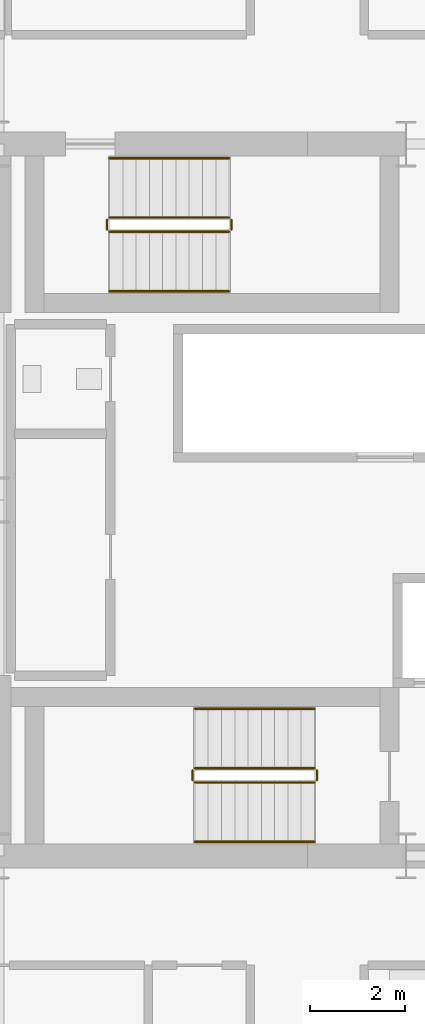
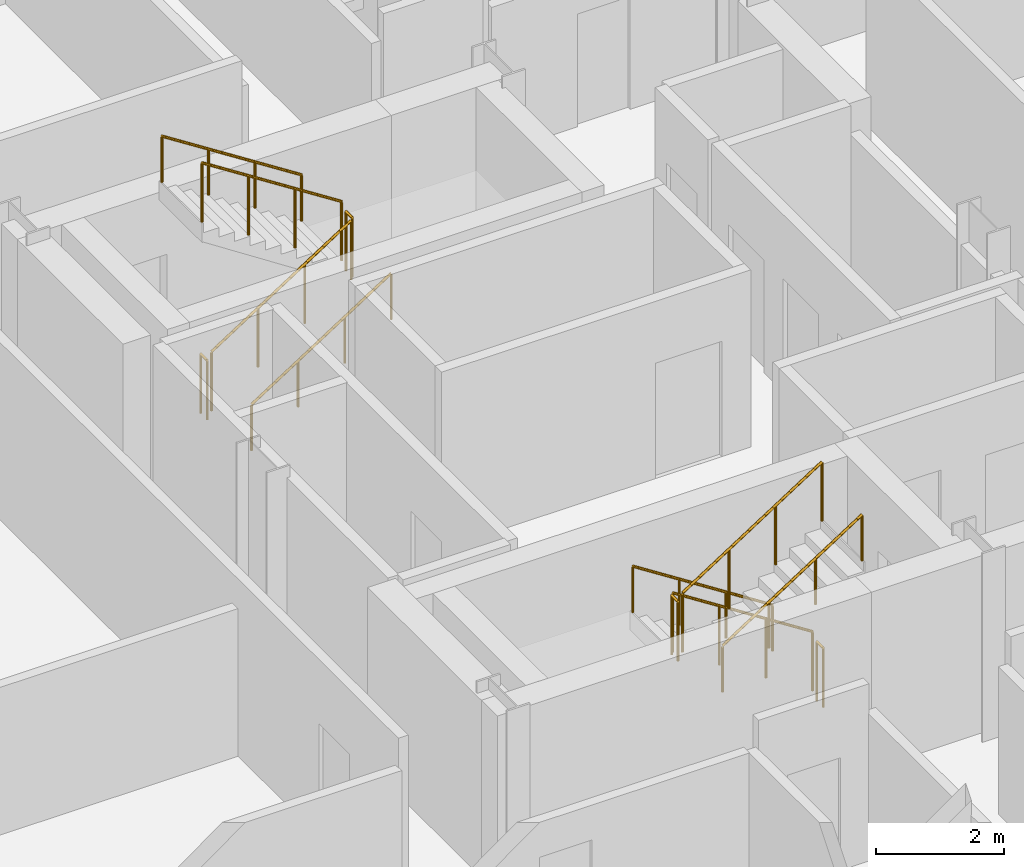
# One storey, part 24 of 25: 12 railings.
"""IFC4 building model written with IfcOpenShell, lengths in metres."""

from ifc_helpers import new_model, si_unit, direction, frame, origin, origin_2d, place, context, subcontext, project, spatial, circle, extrude, material, type_object, element, save


model = new_model("IFC4")

# Units and contexts
model_context = context("Model", 3, precision=1e-05, world=origin(), true_north=direction((0.0, 1.0)))
body_context = subcontext(model_context, "Body", "Model", "MODEL_VIEW")
ifc_project = project(units=[si_unit("LENGTHUNIT", "METRE"), si_unit("AREAUNIT", "SQUARE_METRE"), si_unit("VOLUMEUNIT", "CUBIC_METRE"), si_unit("PLANEANGLEUNIT", "RADIAN"), si_unit("MASSUNIT", "GRAM", prefix="KILO")], contexts=[model_context])

# Site, building, storey
site_placement = place(None, origin())
site = spatial("IfcSite", under=ifc_project, at=site_placement, CompositionType="ELEMENT")
building_placement = place(site_placement, origin())
building = spatial("IfcBuilding", under=site, at=building_placement, Name="Barlavira Tower and Art Museum", CompositionType="ELEMENT")
storey_placement = place(building_placement, frame((0.0, 0.0, 144.0)))
storey = spatial("IfcBuildingStorey", under=building, at=storey_placement, Name="L36", CompositionType="ELEMENT", Elevation=144.0)

# Railings
ifc_material = material(Name="Brushed stainless steel", Category="steel")
railing_type_1 = type_object("IfcRailingType", Name="Interior Void and Landing Guard Railing 1150", PredefinedType="GUARDRAIL", material=ifc_material)
railing_1_placement = place(storey_placement, frame((0.14990234375, -5.64990234375, 0.179931640625)))
element("IfcRailing", 1, at=railing_1_placement, inside=storey, type_object=railing_type_1, Name="L36 ST-T1 stair guard 1", PredefinedType="GUARDRAIL", context=body_context, shape_type="SweptSolid", body=[
    extrude(circle(Radius=0.02392578125, at=origin_2d()), frame((0.0, 0.0, 1.1259765625), z_axis=(-0.841162588446, 0.0, 0.540782303519), x_axis=(0.0, -1.0, 0.0)), (0.0, 0.0, 1.0), 2.995849609375),
    extrude(circle(Radius=0.02099609375, at=origin_2d()), origin(), (0.0, 0.0, 1.0), 1.101806640625),
    extrude(circle(Radius=0.02099609375, at=origin_2d()), frame((-0.840087890625, 0.0, 0.5400390625)), (0.0, 0.0, 1.0), 1.101806640625),
    extrude(circle(Radius=0.02099609375, at=origin_2d()), frame((-1.679931640625, 0.0, 1.080078125)), (0.0, 0.0, 1.0), 1.101806640625),
    extrude(circle(Radius=0.02099609375, at=origin_2d()), frame((-2.52001953125, 0.0, 1.6201171875)), (0.0, 0.0, 1.0), 1.101806640625),
])
railing_2_placement = place(storey_placement, frame((-2.419921875, -5.699951171875, 1.800048828125)))
element("IfcRailing", 2, at=railing_2_placement, inside=storey, type_object=railing_type_1, Name="L36 ST-T1 stair guard 2", PredefinedType="GUARDRAIL", context=body_context, shape_type="SweptSolid", body=[
    extrude(circle(Radius=0.02392578125, at=origin_2d()), frame((0.0, 0.0, 1.1259765625), z_axis=(0.0, -1.0, 0.0), x_axis=(1.0, 0.0, 0.0)), (0.0, 0.0, 1.0), 0.199951171875),
    extrude(circle(Radius=0.02099609375, at=origin_2d()), origin(), (0.0, 0.0, 1.0), 1.101806640625),
    extrude(circle(Radius=0.02099609375, at=origin_2d()), frame((0.0, -0.199951171875, 0.0)), (0.0, 0.0, 1.0), 1.101806640625),
])
railing_3_placement = place(storey_placement, frame((-2.3701171875, -5.949951171875, 1.97998046875)))
element("IfcRailing", 3, at=railing_3_placement, inside=storey, type_object=railing_type_1, Name="L36 ST-T1 stair guard 3", PredefinedType="GUARDRAIL", context=body_context, shape_type="SweptSolid", body=[
    extrude(circle(Radius=0.02392578125, at=origin_2d()), frame((0.0, 0.0, 1.1259765625), z_axis=(0.841162588446, 0.0, 0.540782303519), x_axis=(0.0, 1.0, 0.0)), (0.0, 0.0, 1.0), 2.995849609375),
    extrude(circle(Radius=0.02099609375, at=origin_2d()), origin(), (0.0, 0.0, 1.0), 1.101806640625),
    extrude(circle(Radius=0.02099609375, at=origin_2d()), frame((0.840087890625, 0.0, 0.5400390625)), (0.0, 0.0, 1.0), 1.101806640625),
    extrude(circle(Radius=0.02099609375, at=origin_2d()), frame((1.679931640625, 0.0, 1.080078125)), (0.0, 0.0, 1.0), 1.101806640625),
    extrude(circle(Radius=0.02099609375, at=origin_2d()), frame((2.52001953125, 0.0, 1.6201171875)), (0.0, 0.0, 1.0), 1.101806640625),
])
railing_4_placement = place(storey_placement, frame((0.199951171875, -5.699951171875, 0.0)))
element("IfcRailing", 4, at=railing_4_placement, inside=storey, type_object=railing_type_1, Name="L36 ST-T1 stair guard 4", PredefinedType="GUARDRAIL", context=body_context, shape_type="SweptSolid", body=[
    extrude(circle(Radius=0.02392578125, at=origin_2d()), frame((0.0, 0.0, 1.1259765625), z_axis=(0.0, -1.0, 0.0), x_axis=(1.0, 0.0, 0.0)), (0.0, 0.0, 1.0), 0.199951171875),
    extrude(circle(Radius=0.02099609375, at=origin_2d()), origin(), (0.0, 0.0, 1.0), 1.101806640625),
    extrude(circle(Radius=0.02099609375, at=origin_2d()), frame((0.0, -0.199951171875, 0.0)), (0.0, 0.0, 1.0), 1.101806640625),
])
railing_5_placement = place(storey_placement, frame((-4.169921875, 5.64990234375, 0.179931640625)))
element("IfcRailing", 5, at=railing_5_placement, inside=storey, type_object=railing_type_1, Name="L36 ST-T2 stair guard 1", PredefinedType="GUARDRAIL", context=body_context, shape_type="SweptSolid", body=[
    extrude(circle(Radius=0.02392578125, at=origin_2d()), frame((0.0, 0.0, 1.1259765625), z_axis=(0.841162588446, 0.0, 0.540782303519), x_axis=(0.0, 1.0, 0.0)), (0.0, 0.0, 1.0), 2.995849609375),
    extrude(circle(Radius=0.02099609375, at=origin_2d()), origin(), (0.0, 0.0, 1.0), 1.101806640625),
    extrude(circle(Radius=0.02099609375, at=origin_2d()), frame((0.840087890625, 0.0, 0.5400390625)), (0.0, 0.0, 1.0), 1.101806640625),
    extrude(circle(Radius=0.02099609375, at=origin_2d()), frame((1.679931640625, 0.0, 1.080078125)), (0.0, 0.0, 1.0), 1.101806640625),
    extrude(circle(Radius=0.02099609375, at=origin_2d()), frame((2.52001953125, 0.0, 1.6201171875)), (0.0, 0.0, 1.0), 1.101806640625),
])
railing_6_placement = place(storey_placement, frame((-1.60009765625, 5.699951171875, 1.800048828125)))
element("IfcRailing", 6, at=railing_6_placement, inside=storey, type_object=railing_type_1, Name="L36 ST-T2 stair guard 2", PredefinedType="GUARDRAIL", context=body_context, shape_type="SweptSolid", body=[
    extrude(circle(Radius=0.02392578125, at=origin_2d()), frame((0.0, 0.0, 1.1259765625), z_axis=(0.0, 1.0, 0.0), x_axis=(-1.0, 0.0, 0.0)), (0.0, 0.0, 1.0), 0.199951171875),
    extrude(circle(Radius=0.02099609375, at=origin_2d()), origin(), (0.0, 0.0, 1.0), 1.101806640625),
    extrude(circle(Radius=0.02099609375, at=origin_2d()), frame((0.0, 0.199951171875, 0.0)), (0.0, 0.0, 1.0), 1.101806640625),
])
railing_7_placement = place(storey_placement, frame((-1.64990234375, 5.949951171875, 1.97998046875)))
element("IfcRailing", 7, at=railing_7_placement, inside=storey, type_object=railing_type_1, Name="L36 ST-T2 stair guard 3", PredefinedType="GUARDRAIL", context=body_context, shape_type="SweptSolid", body=[
    extrude(circle(Radius=0.02392578125, at=origin_2d()), frame((0.0, 0.0, 1.1259765625), z_axis=(-0.841162588446, 0.0, 0.540782303519), x_axis=(0.0, -1.0, 0.0)), (0.0, 0.0, 1.0), 2.995849609375),
    extrude(circle(Radius=0.02099609375, at=origin_2d()), origin(), (0.0, 0.0, 1.0), 1.101806640625),
    extrude(circle(Radius=0.02099609375, at=origin_2d()), frame((-0.840087890625, 0.0, 0.5400390625)), (0.0, 0.0, 1.0), 1.101806640625),
    extrude(circle(Radius=0.02099609375, at=origin_2d()), frame((-1.679931640625, 0.0, 1.080078125)), (0.0, 0.0, 1.0), 1.101806640625),
    extrude(circle(Radius=0.02099609375, at=origin_2d()), frame((-2.52001953125, 0.0, 1.6201171875)), (0.0, 0.0, 1.0), 1.101806640625),
])
railing_8_placement = place(storey_placement, frame((-4.219970703125, 5.699951171875, 0.0)))
element("IfcRailing", 8, at=railing_8_placement, inside=storey, type_object=railing_type_1, Name="L36 ST-T2 stair guard 4", PredefinedType="GUARDRAIL", context=body_context, shape_type="SweptSolid", body=[
    extrude(circle(Radius=0.02392578125, at=origin_2d()), frame((0.0, 0.0, 1.1259765625), z_axis=(0.0, 1.0, 0.0), x_axis=(-1.0, 0.0, 0.0)), (0.0, 0.0, 1.0), 0.199951171875),
    extrude(circle(Radius=0.02099609375, at=origin_2d()), origin(), (0.0, 0.0, 1.0), 1.101806640625),
    extrude(circle(Radius=0.02099609375, at=origin_2d()), frame((0.0, 0.199951171875, 0.0)), (0.0, 0.0, 1.0), 1.101806640625),
])
railing_type_2 = type_object("IfcRailingType", Name="Stair Pitch Tubular Steel Handrail 920", PredefinedType="HANDRAIL", material=ifc_material)
railing_9_placement = place(storey_placement, frame((0.14990234375, -4.39990234375, 0.179931640625)))
element("IfcRailing", 9, at=railing_9_placement, inside=storey, type_object=railing_type_2, Name="L36 ST-T1 stair handrail 1", PredefinedType="HANDRAIL", context=body_context, shape_type="SweptSolid", body=[
    extrude(circle(Radius=0.02392578125, at=origin_2d()), frame((0.0, 0.0, 0.8759765625), z_axis=(-0.841162588446, 0.0, 0.540782303519), x_axis=(0.0, -1.0, 0.0)), (0.0, 0.0, 1.0), 2.995849609375),
    extrude(circle(Radius=0.02099609375, at=origin_2d()), origin(), (0.0, 0.0, 1.0), 0.851806640625),
    extrude(circle(Radius=0.02099609375, at=origin_2d()), frame((-0.840087890625, 0.0, 0.5400390625)), (0.0, 0.0, 1.0), 0.851806640625),
    extrude(circle(Radius=0.02099609375, at=origin_2d()), frame((-1.679931640625, 0.0, 1.080078125)), (0.0, 0.0, 1.0), 0.851806640625),
    extrude(circle(Radius=0.02099609375, at=origin_2d()), frame((-2.52001953125, 0.0, 1.6201171875)), (0.0, 0.0, 1.0), 0.851806640625),
])
for number, where, name in (
    (10, (-2.3701171875, -7.199951171875, 1.97998046875), "L36 ST-T1 stair handrail 2"),
    (11, (-4.169921875, 4.39990234375, 0.179931640625), "L36 ST-T2 stair handrail 1"),
):
    element("IfcRailing", number, at=place(storey_placement, frame(where)), inside=storey, type_object=railing_type_2, Name=name, PredefinedType="HANDRAIL", context=body_context, shape_type="SweptSolid", body=[
        extrude(circle(Radius=0.02392578125, at=origin_2d()), frame((0.0, 0.0, 0.8759765625), z_axis=(0.841162588446, 0.0, 0.540782303519), x_axis=(0.0, 1.0, 0.0)), (0.0, 0.0, 1.0), 2.995849609375),
        extrude(circle(Radius=0.02099609375, at=origin_2d()), origin(), (0.0, 0.0, 1.0), 0.851806640625),
        extrude(circle(Radius=0.02099609375, at=origin_2d()), frame((0.840087890625, 0.0, 0.5400390625)), (0.0, 0.0, 1.0), 0.851806640625),
        extrude(circle(Radius=0.02099609375, at=origin_2d()), frame((1.679931640625, 0.0, 1.080078125)), (0.0, 0.0, 1.0), 0.851806640625),
        extrude(circle(Radius=0.02099609375, at=origin_2d()), frame((2.52001953125, 0.0, 1.6201171875)), (0.0, 0.0, 1.0), 0.851806640625),
    ])
railing_10_placement = place(storey_placement, frame((-1.64990234375, 7.199951171875, 1.97998046875)))
element("IfcRailing", 12, at=railing_10_placement, inside=storey, type_object=railing_type_2, Name="L36 ST-T2 stair handrail 2", PredefinedType="HANDRAIL", context=body_context, shape_type="SweptSolid", body=[
    extrude(circle(Radius=0.02392578125, at=origin_2d()), frame((0.0, 0.0, 0.8759765625), z_axis=(-0.841162588446, 0.0, 0.540782303519), x_axis=(0.0, -1.0, 0.0)), (0.0, 0.0, 1.0), 2.995849609375),
    extrude(circle(Radius=0.02099609375, at=origin_2d()), origin(), (0.0, 0.0, 1.0), 0.851806640625),
    extrude(circle(Radius=0.02099609375, at=origin_2d()), frame((-0.840087890625, 0.0, 0.5400390625)), (0.0, 0.0, 1.0), 0.851806640625),
    extrude(circle(Radius=0.02099609375, at=origin_2d()), frame((-1.679931640625, 0.0, 1.080078125)), (0.0, 0.0, 1.0), 0.851806640625),
    extrude(circle(Radius=0.02099609375, at=origin_2d()), frame((-2.52001953125, 0.0, 1.6201171875)), (0.0, 0.0, 1.0), 0.851806640625),
])

save(model, "model.ifc")
